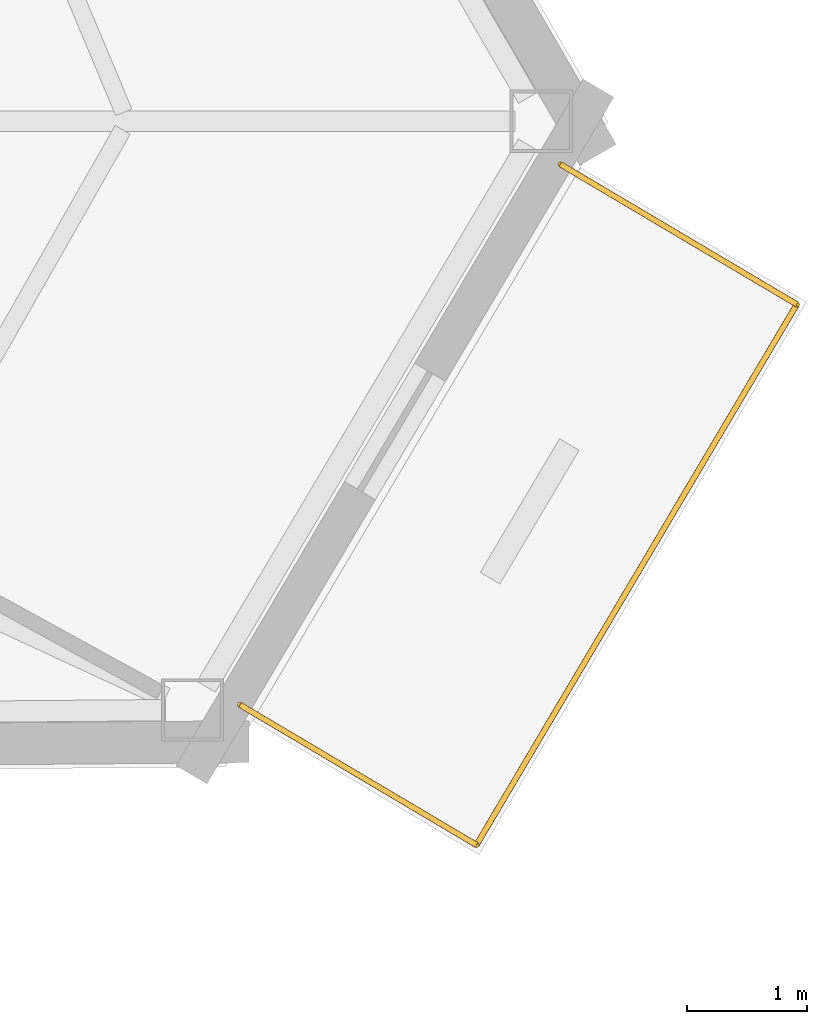
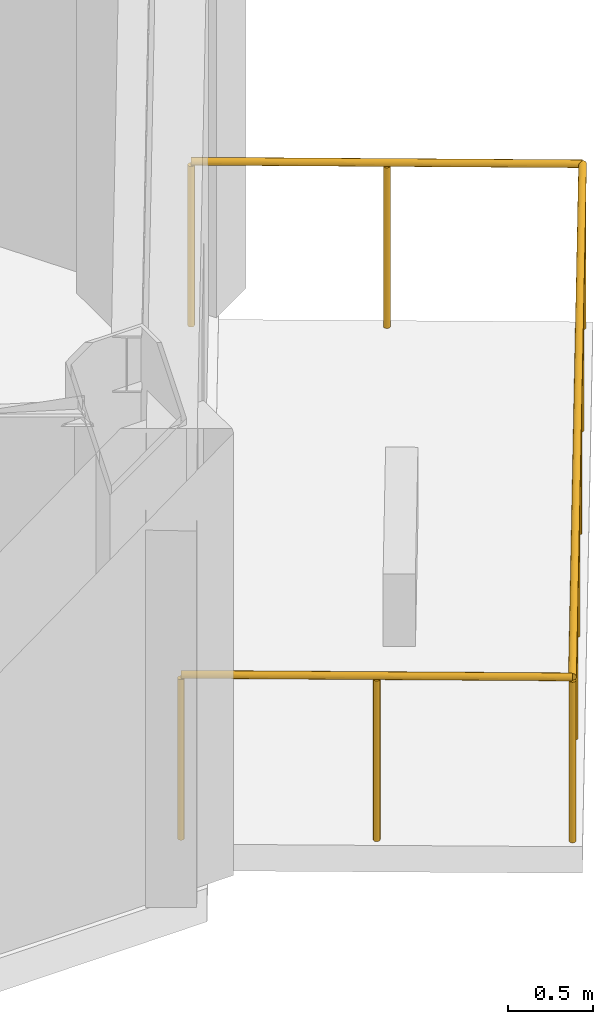
# One storey, part 10 of 10: 3 railings.
"""IFC4 building model written with IfcOpenShell, lengths in metres."""

from ifc_helpers import new_model, si_unit, direction, frame, origin, origin_2d, place, context, subcontext, project, spatial, circle, extrude, material, type_object, element, save


model = new_model("IFC4")

# Units and contexts
model_context = context("Model", 3, precision=1e-05, world=origin(), true_north=direction((0.0, 1.0)))
body_context = subcontext(model_context, "Body", "Model", "MODEL_VIEW")
ifc_project = project(units=[si_unit("LENGTHUNIT", "METRE"), si_unit("AREAUNIT", "SQUARE_METRE"), si_unit("VOLUMEUNIT", "CUBIC_METRE"), si_unit("PLANEANGLEUNIT", "RADIAN"), si_unit("MASSUNIT", "GRAM", prefix="KILO")], contexts=[model_context])

# Site, building, storey
site_placement = place(None, origin())
site = spatial("IfcSite", under=ifc_project, at=site_placement, CompositionType="ELEMENT")
building_placement = place(site_placement, origin())
building = spatial("IfcBuilding", under=site, at=building_placement, Name="Kavelnor Concourse Tower", CompositionType="ELEMENT")
storey_placement = place(building_placement, frame((0.0, 0.0, 281.85009765625)))
storey = spatial("IfcBuildingStorey", under=building, at=storey_placement, Name="L71", CompositionType="ELEMENT", Elevation=281.85009765625)

# Railings
ifc_material = material(Name="Architectural bronze-anodised aluminium", Category="aluminium")
railing_type = type_object("IfcRailingType", Name="RLG-TERRACE-1200", PredefinedType="BALUSTRADE", material=ifc_material)
railing_1_placement = place(storey_placement, frame((57.13623046875, 5.84765625, 0.0)))
element("IfcRailing", 1, at=railing_1_placement, inside=storey, type_object=railing_type, Name="L71 Spiral Terrace Guardrail L", PredefinedType="BALUSTRADE", context=body_context, shape_type="SweptSolid", body=[
    extrude(circle(Radius=0.02392578125, at=origin_2d()), frame((0.0, 0.0, 1.17578125), z_axis=(0.860289809477, -0.509805299805, 0.0), x_axis=(0.509805299805, 0.860289809477, 0.0)), (0.0, 0.0, 1.0), 2.300048828125),
    extrude(circle(Radius=0.02099609375, at=origin_2d()), origin(), (0.0, 0.0, 1.0), 1.15185546875),
    extrude(circle(Radius=0.02099609375, at=origin_2d()), frame((0.9892578125, -0.58642578125, 0.0)), (0.0, 0.0, 1.0), 1.15185546875),
    extrude(circle(Radius=0.02099609375, at=origin_2d()), frame((1.978759765625, -1.172607421875, 0.0)), (0.0, 0.0, 1.0), 1.15185546875),
])
railing_2_placement = place(storey_placement, frame((59.114990234375, 4.675048828125, 0.0)))
element("IfcRailing", 2, at=railing_2_placement, inside=storey, type_object=railing_type, Name="L71 Spiral Terrace Guardrail F", PredefinedType="BALUSTRADE", context=body_context, shape_type="SweptSolid", body=[
    extrude(circle(Radius=0.02392578125, at=origin_2d()), frame((0.0, 0.0, 1.17578125), z_axis=(0.509796025113, 0.860295305566, 0.0), x_axis=(-0.860295305566, 0.509796025113, 0.0)), (0.0, 0.0, 1.0), 5.2568359375),
    extrude(circle(Radius=0.02099609375, at=origin_2d()), origin(), (0.0, 0.0, 1.0), 1.15185546875),
    extrude(circle(Radius=0.02099609375, at=origin_2d()), frame((0.535888671875, 0.904541015625, 0.0)), (0.0, 0.0, 1.0), 1.15185546875),
    extrude(circle(Radius=0.02099609375, at=origin_2d()), frame((1.072021484375, 1.80908203125, 0.0)), (0.0, 0.0, 1.0), 1.15185546875),
    extrude(circle(Radius=0.02099609375, at=origin_2d()), frame((1.60791015625, 2.71337890625, 0.0)), (0.0, 0.0, 1.0), 1.15185546875),
    extrude(circle(Radius=0.02099609375, at=origin_2d()), frame((2.14404296875, 3.617919921875, 0.0)), (0.0, 0.0, 1.0), 1.15185546875),
    extrude(circle(Radius=0.02099609375, at=origin_2d()), frame((2.679931640625, 4.5224609375, 0.0)), (0.0, 0.0, 1.0), 1.15185546875),
])
railing_3_placement = place(storey_placement, frame((61.794921875, 9.197509765625, 0.0)))
element("IfcRailing", 3, at=railing_3_placement, inside=storey, type_object=railing_type, Name="L71 Spiral Terrace Guardrail R", PredefinedType="BALUSTRADE", context=body_context, shape_type="SweptSolid", body=[
    extrude(circle(Radius=0.02392578125, at=origin_2d()), frame((0.0, 0.0, 1.17578125), z_axis=(-0.860262218954, 0.509851855582, 0.0), x_axis=(-0.509851855582, -0.860262218954, 0.0)), (0.0, 0.0, 1.0), 2.2998046875),
    extrude(circle(Radius=0.02099609375, at=origin_2d()), origin(), (0.0, 0.0, 1.0), 1.15185546875),
    extrude(circle(Radius=0.02099609375, at=origin_2d()), frame((-0.9892578125, 0.58642578125, 0.0)), (0.0, 0.0, 1.0), 1.15185546875),
    extrude(circle(Radius=0.02099609375, at=origin_2d()), frame((-1.978515625, 1.172607421875, 0.0)), (0.0, 0.0, 1.0), 1.15185546875),
])

save(model, "model.ifc")
